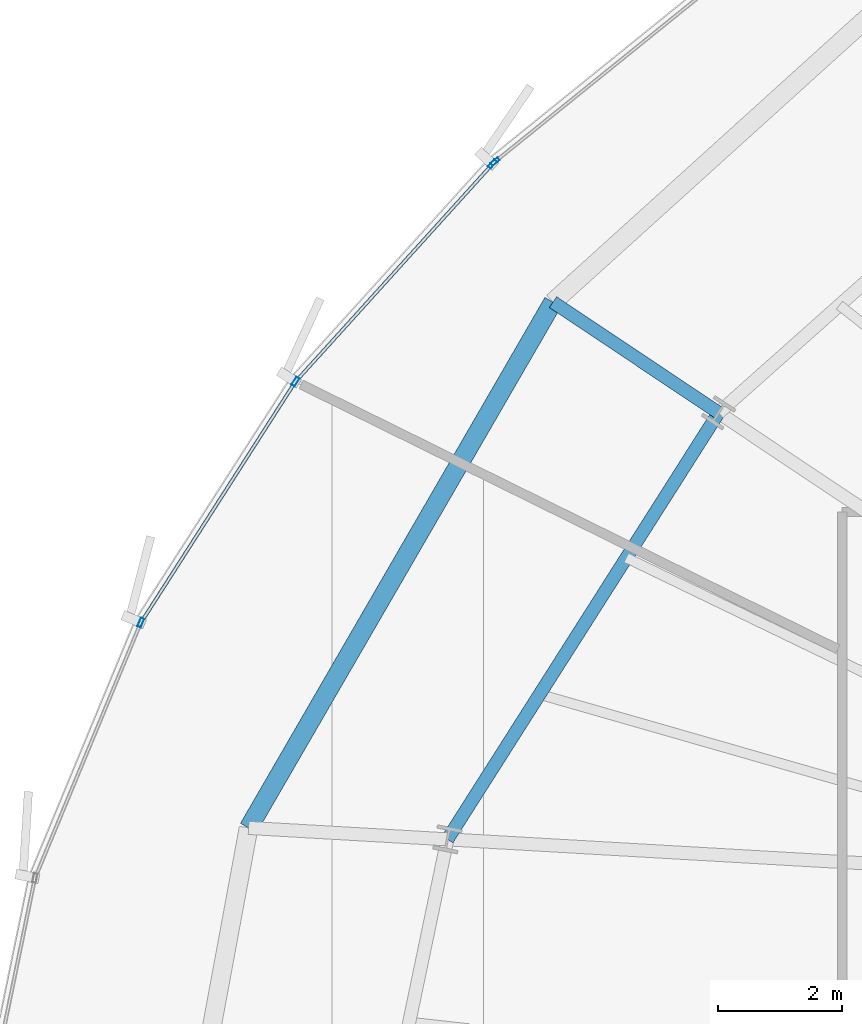
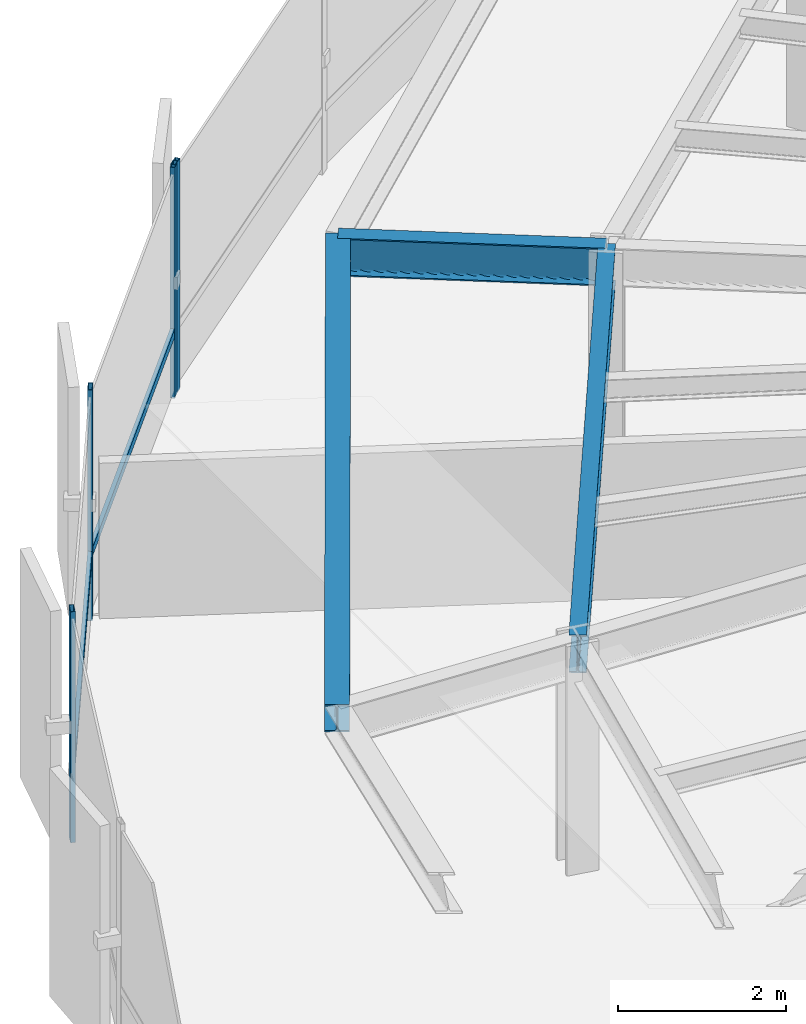
# One storey, part 18 of 35: 6 members, 3 beams, 2 elements without a shape of their own.
"""IFC4 building model written with IfcOpenShell, lengths in metres."""

import ifcopenshell
import ifcopenshell.guid

model = None  # the IFC model being written
_history = None  # IfcOwnerHistory: only IFC2X3 demands one
_inside = {}  # id of a spatial element -> (the spatial element, [elements in it])
_under = {}  # id of a project, library or spatial element -> (it, [spatial elements below it])
_declared = {}  # id of a project -> (the project, [libraries it declares])
_typed = {}  # id of a type object -> (the type object, [elements of that type])
_made_of = {}  # id of a material, layer set ... -> (it, [elements and type objects made of it])


def new_model(schema):
    """Start an empty IFC model of exactly this schema.

    Asked for "IFC4X3", IfcOpenShell would pick the latest addendum, in which some entities
    have other attributes; the version numbers below select the first issue.
    IFC2X3 requires an IfcOwnerHistory on every rooted entity: one is made here for all.
    """
    global model, _history
    if schema == "IFC4X3":
        model = ifcopenshell.file(schema_version=(4, 3, 0, 0))
    else:
        model = ifcopenshell.file(schema=schema)
    _inside.clear()
    _under.clear()
    _declared.clear()
    _typed.clear()
    _made_of.clear()
    _history = None
    if model.schema == "IFC2X3":
        org = make("IfcOrganization", Name="unknown")
        user = make(
            "IfcPersonAndOrganization",
            ThePerson=make("IfcPerson", FamilyName="unknown"),
            TheOrganization=org,
        )
        app = make(
            "IfcApplication",
            ApplicationDeveloper=org,
            Version="unknown",
            ApplicationFullName="unknown",
            ApplicationIdentifier="unknown",
        )
        _history = make(
            "IfcOwnerHistory",
            OwningUser=user,
            OwningApplication=app,
            ChangeAction="ADDED",
            CreationDate=0,
        )
    return model


def make(cls, **values):
    """One entity of the class cls with the attributes given. An attribute that is None is left unset."""
    return model.create_entity(
        cls, **{name: value for name, value in values.items() if value is not None}
    )


def rooted(cls, **values):
    """An entity with a GlobalId (a new one), such as an element, a storey or a relation."""
    return make(cls, GlobalId=ifcopenshell.guid.new(), OwnerHistory=_history, **values)


def si_unit(unit_type, name, prefix=None):
    """IfcSIUnit, for example si_unit("LENGTHUNIT", "METRE", prefix="MILLI")."""
    return make("IfcSIUnit", UnitType=unit_type, Prefix=prefix, Name=name)


def assignment(units):
    """IfcUnitAssignment: the units of a project."""
    return None if units is None else make("IfcUnitAssignment", Units=units)


def point(xyz):
    """IfcCartesianPoint."""
    return None if xyz is None else make("IfcCartesianPoint", Coordinates=xyz)


def direction(xyz):
    """IfcDirection."""
    return None if xyz is None else make("IfcDirection", DirectionRatios=xyz)


def frame(location, z_axis=None, x_axis=None):
    """IfcAxis2Placement3D, a coordinate frame: its origin and axes. An axis left out is left unset."""
    return make(
        "IfcAxis2Placement3D",
        Location=point(location),
        Axis=direction(z_axis),
        RefDirection=direction(x_axis),
    )


def frame_2d(location, x_axis=None):
    """IfcAxis2Placement2D, a coordinate frame in the plane: its origin and x axis."""
    return make(
        "IfcAxis2Placement2D", Location=point(location), RefDirection=direction(x_axis)
    )


def origin():
    """The frame at (0, 0, 0) with its axes left unset."""
    return frame((0.0, 0.0, 0.0))


def origin_2d():
    """The frame at (0, 0) in the plane with its x axis left unset."""
    return frame_2d((0.0, 0.0))


def place(relative_to, where):
    """IfcLocalPlacement: puts the frame where relative to a parent placement (None: the world)."""
    return make(
        "IfcLocalPlacement", PlacementRelTo=relative_to, RelativePlacement=where
    )


def context(
    kind, dimensions, precision=None, world=None, true_north=None, identifier=None
):
    """IfcGeometricRepresentationContext, for example the 3D "Model" context."""
    return make(
        "IfcGeometricRepresentationContext",
        ContextIdentifier=identifier,
        ContextType=kind,
        CoordinateSpaceDimension=dimensions,
        Precision=precision,
        WorldCoordinateSystem=world,
        TrueNorth=true_north,
    )


def subcontext(parent, identifier, kind, view, scale=None):
    """IfcGeometricRepresentationSubContext, for example "Body" below "Model"."""
    return make(
        "IfcGeometricRepresentationSubContext",
        ContextIdentifier=identifier,
        ContextType=kind,
        ParentContext=parent,
        TargetScale=scale,
        TargetView=view,
    )


def project(units=None, contexts=None):
    """IfcProject with its units and contexts."""
    return rooted(
        "IfcProject",
        Name="project",
        RepresentationContexts=contexts,
        UnitsInContext=assignment(units),
    )


def spatial(cls, under=None, at=None, **own):
    """A site, building, storey or space (cls), placed at a placement, below another one or the project."""
    s = rooted(cls, ObjectPlacement=at, **own)
    if under is not None:
        _under.setdefault(under.id(), (under, []))[1].append(s)
    return s


def profile(cls, at=None, kind="AREA", **sizes):
    """A parametric profile (cls). Its sizes go by their IFC names, for example OverallWidth=200.0."""
    return make(cls, ProfileType=kind, Position=at, **sizes)


def hollow_rectangle(**sizes):
    """IfcRectangleHollowProfileDef."""
    return profile("IfcRectangleHollowProfileDef", **sizes)


def i_section(**sizes):
    """IfcIShapeProfileDef."""
    return profile("IfcIShapeProfileDef", **sizes)


def extrude(swept, where, along, depth):
    """IfcExtrudedAreaSolid: the profile swept, set in the frame where, extruded along a direction by depth."""
    return make(
        "IfcExtrudedAreaSolid",
        SweptArea=swept,
        Position=where,
        ExtrudedDirection=direction(along),
        Depth=depth,
    )


def shape(context_of_items, identifier, shape_type, items):
    """IfcShapeRepresentation: the items that make up one representation, for example the "Body"."""
    return make(
        "IfcShapeRepresentation",
        ContextOfItems=context_of_items,
        RepresentationIdentifier=identifier,
        RepresentationType=shape_type,
        Items=items,
    )


def source(mapping_origin, context_of_items, identifier, shape_type, items):
    """IfcRepresentationMap: a shape defined once, which mapped items show again and again."""
    return make(
        "IfcRepresentationMap",
        MappingOrigin=mapping_origin,
        MappedRepresentation=shape(context_of_items, identifier, shape_type, items),
    )


def transform(
    local_origin,
    x_axis=None,
    y_axis=None,
    z_axis=None,
    scale=None,
    scale2=None,
    scale3=None,
    uniform=True,
):
    """IfcCartesianTransformationOperator3D, or its non-uniform kind. x_axis, y_axis, z_axis: its Axis1, 2, 3."""
    if uniform:
        return make(
            "IfcCartesianTransformationOperator3D",
            Axis1=direction(x_axis),
            Axis2=direction(y_axis),
            LocalOrigin=point(local_origin),
            Scale=scale,
            Axis3=direction(z_axis),
        )
    return make(
        "IfcCartesianTransformationOperator3DnonUniform",
        Axis1=direction(x_axis),
        Axis2=direction(y_axis),
        LocalOrigin=point(local_origin),
        Scale=scale,
        Axis3=direction(z_axis),
        Scale2=scale2,
        Scale3=scale3,
    )


def mapped(mapping_source, mapping_target):
    """IfcMappedItem: shows the shape of a source again, moved by a transform."""
    return make(
        "IfcMappedItem", MappingSource=mapping_source, MappingTarget=mapping_target
    )


def material(Name=None, Category=None):
    """IfcMaterial."""
    return make("IfcMaterial", Name=Name, Category=Category)


def layer(
    of_material, thickness, ventilated=None, Name=None, Category=None, Priority=None
):
    """IfcMaterialLayer: one layer of a wall or slab, of a material (None: an air gap)."""
    return make(
        "IfcMaterialLayer",
        Material=of_material,
        LayerThickness=thickness,
        IsVentilated=ventilated,
        Name=Name,
        Category=Category,
        Priority=Priority,
    )


def layer_set(layers, Name=None):
    """IfcMaterialLayerSet."""
    return make("IfcMaterialLayerSet", MaterialLayers=layers, LayerSetName=Name)


def material_profile(
    of_material, cross_section, Name=None, Category=None, Priority=None
):
    """IfcMaterialProfile: a cross section and its material."""
    return make(
        "IfcMaterialProfile",
        Name=Name,
        Material=of_material,
        Profile=cross_section,
        Priority=Priority,
        Category=Category,
    )


def profile_set(profiles, Name=None, composite=None):
    """IfcMaterialProfileSet."""
    return make(
        "IfcMaterialProfileSet",
        Name=Name,
        MaterialProfiles=profiles,
        CompositeProfile=composite,
    )


def made_of(thing, what):
    """Note that an element or type object is made of a material, layer set ...; save() writes the relation."""
    if what is not None:
        _made_of.setdefault(what.id(), (what, []))[1].append(thing)
    return thing


def type_object(cls, material=None, **own):
    """A type object (cls), such as IfcWallType, which elements share."""
    return made_of(rooted(cls, **own), material)


def element(
    cls,
    number,
    at=None,
    inside=None,
    cuts=None,
    type_object=None,
    material=None,
    context=None,
    identifier="Body",
    shape_type=None,
    held_by="IfcProductDefinitionShape",
    body=None,
    shapes=None,
    **own,
):
    """One element of the class cls, such as IfcWall. Its Tag is "e" and its number.

    at: its placement. inside: the storey or other place that contains it. cuts: it is an
    opening in that element (IfcRelVoidsElement). A single representation is given by context,
    identifier, shape_type and body (its items); several are given by shapes. held_by: the class
    of the entity that holds the representations. save() writes the other relations.
    """
    e = rooted(cls, Tag="e%d" % number, ObjectPlacement=at, **own)
    if body is not None:
        shapes = [shape(context, identifier, shape_type, body)]
    if shapes is not None:
        e.Representation = make(held_by, Representations=shapes)
    if inside is not None:
        _inside.setdefault(inside.id(), (inside, []))[1].append(e)
    if cuts is not None:
        rooted(
            "IfcRelVoidsElement", RelatingBuildingElement=cuts, RelatedOpeningElement=e
        )
    if type_object is not None:
        _typed.setdefault(type_object.id(), (type_object, []))[1].append(e)
    return made_of(e, material)


def aggregate(whole, parts):
    """IfcRelAggregates: a whole, such as a stair, and the parts it consists of."""
    return rooted("IfcRelAggregates", RelatingObject=whole, RelatedObjects=parts)


def save(model, path):
    """Write the relations noted so far, then the file.

    IfcRelAggregates (storeys below a building ...), IfcRelContainedInSpatialStructure (elements
    in a storey), IfcRelDefinesByType, IfcRelAssociatesMaterial and IfcRelDeclares: one each for
    every whole, place, type object, material and project.
    """
    for whole, parts in _under.values():
        aggregate(whole, parts)
    for where, things in _inside.values():
        rooted(
            "IfcRelContainedInSpatialStructure",
            RelatedElements=things,
            RelatingStructure=where,
        )
    for kind, things in _typed.values():
        rooted("IfcRelDefinesByType", RelatedObjects=things, RelatingType=kind)
    for what, things in _made_of.values():
        rooted("IfcRelAssociatesMaterial", RelatedObjects=things, RelatingMaterial=what)
    for by, libraries in _declared.values():
        rooted("IfcRelDeclares", RelatingContext=by, RelatedDefinitions=libraries)
    model.write(path)


model = new_model("IFC4")

# Units and contexts
model_context = context("Model", 3, precision=1e-05, world=origin(), true_north=direction((0.0, 1.0)))
body_context = subcontext(model_context, "Body", "Model", "MODEL_VIEW")
ifc_project = project(units=[si_unit("LENGTHUNIT", "METRE"), si_unit("AREAUNIT", "SQUARE_METRE"), si_unit("VOLUMEUNIT", "CUBIC_METRE"), si_unit("PLANEANGLEUNIT", "RADIAN"), si_unit("MASSUNIT", "GRAM", prefix="KILO"), si_unit("THERMODYNAMICTEMPERATUREUNIT", "KELVIN")], contexts=[model_context])

# Site, building, storey
site_placement = place(None, origin())
site = spatial("IfcSite", under=ifc_project, at=site_placement, CompositionType="ELEMENT")
building_placement = place(site_placement, origin())
building = spatial("IfcBuilding", under=site, at=building_placement, Name="Kethvar Cultural Tower", CompositionType="ELEMENT")
storey_placement = place(building_placement, frame((0.0, 0.0, 107.199951171875)))
storey = spatial("IfcBuildingStorey", under=building, at=storey_placement, Name="L26", CompositionType="ELEMENT", Elevation=107.199951171875)

# Beams
ifc_material_1 = material(Name="Steel S355J2", Category="steel")
ifc_material_profile_1 = material_profile(ifc_material_1, i_section(OverallWidth=0.2099609375, OverallDepth=0.550048828125, WebThickness=0.010986328125, FlangeThickness=0.01708984375, FilletRadius=0.02392578125, at=origin_2d()), Name="Steel S355J2 — IPE550")
ifc_profile_set_1 = profile_set([ifc_material_profile_1], Name="Steel S355J2 — IPE550")
beam_type_1 = type_object("IfcBeamType", Name="BM-IPE550", PredefinedType="BEAM", material=ifc_profile_set_1)
shared_shape_1 = source(origin(), body_context, "Body", "SweptSolid", [
    extrude(i_section(OverallWidth=0.2099609375, OverallDepth=0.550048828125, WebThickness=0.010986328125, FlangeThickness=0.01708984375, FilletRadius=0.02392578125, at=origin_2d()), origin(), (0.0, 0.0, 1.0), 3.199951171875),
])
beam_1_placement = place(storey_placement, frame((30.345947265625, 38.794189453125, 3.072998046875), z_axis=(-0.831462943996, 0.555580212716, 0.0), x_axis=(-0.555580212716, -0.831462943996, 0.0)))
element("IfcBeam", 1, at=beam_1_placement, inside=storey, type_object=beam_type_1, Name="L26 Perimeter Cantilever Beam RC-07", PredefinedType="BEAM", context=body_context, shape_type="MappedRepresentation", body=[
    mapped(shared_shape_1, transform((0.0, 0.0, 0.0), scale=1.0)),
])
shared_shape_2 = source(origin(), body_context, "Body", "SweptSolid", [
    extrude(i_section(OverallWidth=0.2099609375, OverallDepth=0.550048828125, WebThickness=0.010986328125, FlangeThickness=0.01708984375, FilletRadius=0.02392578125, at=origin_2d()), origin(), (0.0, 0.0, 1.0), 8.122314453125),
])
beam_2_placement = place(storey_placement, frame((30.345947265625, 38.794189453125, 3.072998046875), z_axis=(-0.536478664647, -0.843913883272, 0.0), x_axis=(0.843913883272, -0.536478664647, 0.0)))
element("IfcBeam", 2, at=beam_2_placement, inside=storey, type_object=beam_type_1, Name="L26 Column Ring Tie Beam CR-07", PredefinedType="BEAM", context=body_context, shape_type="MappedRepresentation", body=[
    mapped(shared_shape_2, transform((0.0, 0.0, 0.0), scale=1.0)),
])
ifc_material_profile_2 = material_profile(ifc_material_1, i_section(OverallWidth=0.300048828125, OverallDepth=0.39990234375, WebThickness=0.013427734375, FlangeThickness=0.02392578125, FilletRadius=0.027099609375, at=origin_2d()), Name="Steel S355J2 — HEB400")
ifc_profile_set_2 = profile_set([ifc_material_profile_2], Name="Steel S355J2 — HEB400")
beam_type_2 = type_object("IfcBeamType", Name="BM-SP400", PredefinedType="SPANDREL", material=ifc_profile_set_2)
shared_shape_3 = source(origin(), body_context, "Body", "SweptSolid", [
    extrude(i_section(OverallWidth=0.300048828125, OverallDepth=0.39990234375, WebThickness=0.013427734375, FlangeThickness=0.02392578125, FilletRadius=0.027099609375, at=origin_2d()), origin(), (0.0, 0.0, 1.0), 9.762939453125),
])
beam_3_placement = place(storey_placement, frame((27.685302734375, 40.572021484375, 3.14794921875), z_axis=(-0.501043170838, -0.865422290536, 0.0), x_axis=(0.865422290536, -0.501043170838, 0.0)))
element("IfcBeam", 3, at=beam_3_placement, inside=storey, type_object=beam_type_2, Name="L26 Perimeter Spandrel Beam SP-07", PredefinedType="SPANDREL", context=body_context, shape_type="MappedRepresentation", body=[
    mapped(shared_shape_3, transform((0.0, 0.0, 0.0), scale=1.0)),
])

# Curtain wall, member
ifc_material_2 = material(Name="Aluminium 6063-T6", Category="aluminium")
ifc_layer = layer(ifc_material_2, 0.179931640625, Name="Aluminium 6063-T6", Category="aluminium")
ifc_layer_set = layer_set([ifc_layer], Name="Aluminium 6063-T6 (180 mm)")
curtain_wall_type = type_object("IfcCurtainWallType", Name="CW-SYS-03-Z2", PredefinedType="NOTDEFINED", material=ifc_layer_set)
curtain_wall_1_placement = place(storey_placement, origin())
curtain_wall_1 = element("IfcCurtainWall", 4, at=curtain_wall_1_placement, inside=storey, type_object=curtain_wall_type, Name="L26 Curtain Wall Run 02", PredefinedType="NOTDEFINED")
ifc_material_profile_3 = material_profile(ifc_material_2, hollow_rectangle(XDim=0.06005859375, YDim=0.14990234375, WallThickness=0.0048828125, at=origin_2d()), Name="Aluminium 6063-T6 — RHS150x60x5")
ifc_profile_set_3 = profile_set([ifc_material_profile_3], Name="Aluminium 6063-T6 — RHS150x60x5")
member_type_1 = type_object("IfcMemberType", Name="CW-SYS-03-Z2-MUL", PredefinedType="MULLION", material=ifc_profile_set_3)
shared_shape_4 = source(origin(), body_context, "Body", "SweptSolid", [
    extrude(hollow_rectangle(XDim=0.06005859375, YDim=0.14990234375, WallThickness=0.0048828125, at=origin_2d()), origin(), (0.0, 0.0, 1.0), 3.35009765625),
])
member_1_placement = place(storey_placement, frame((26.755615234375, 42.830810546875, 0.0), z_axis=(0.0, 0.0, 1.0), x_axis=(0.628234677493, -0.778023900658, 0.0)))
member_1 = element("IfcMember", 5, at=member_1_placement, type_object=member_type_1, Name="CW-L26-R02 Mullion 7", PredefinedType="MULLION", context=body_context, shape_type="MappedRepresentation", body=[
    mapped(shared_shape_4, transform((0.0, 0.0, 0.0), scale=1.0)),
])
aggregate(curtain_wall_1, [member_1])

# Curtain wall, members
curtain_wall_2_placement = place(storey_placement, origin())
curtain_wall_2 = element("IfcCurtainWall", 6, at=curtain_wall_2_placement, inside=storey, type_object=curtain_wall_type, Name="L26 Curtain Wall Run 03", PredefinedType="NOTDEFINED")
member_2_placement = place(storey_placement, frame((26.712158203125, 42.789794921875, 0.0), z_axis=(0.0, 0.0, 1.0), x_axis=(0.741460771557, -0.670996217756, 0.0)))
member_2 = element("IfcMember", 7, at=member_2_placement, type_object=member_type_1, Name="CW-L26-R03 Mullion 1", PredefinedType="MULLION", context=body_context, shape_type="MappedRepresentation", body=[
    mapped(shared_shape_4, transform((0.0, 0.0, 0.0), scale=1.0)),
])
member_3_placement = place(storey_placement, frame((23.547119140625, 39.294677734375, 0.0), z_axis=(0.0, 0.0, 1.0), x_axis=(0.841925408552, -0.539593927352, 0.0)))
member_3 = element("IfcMember", 8, at=member_3_placement, type_object=member_type_1, Name="CW-L26-R03 Mullion 2", PredefinedType="MULLION", context=body_context, shape_type="MappedRepresentation", body=[
    mapped(shared_shape_4, transform((0.0, 0.0, 0.0), scale=1.0)),
])
member_4_placement = place(storey_placement, frame((21.06298828125, 35.42236328125, 0.0), z_axis=(0.0, 0.0, 1.0), x_axis=(0.923866173777, -0.382715681611, 0.0)))
member_4 = element("IfcMember", 9, at=member_4_placement, type_object=member_type_1, Name="CW-L26-R03 Mullion 3", PredefinedType="MULLION", context=body_context, shape_type="MappedRepresentation", body=[
    mapped(shared_shape_4, transform((0.0, 0.0, 0.0), scale=1.0)),
])
ifc_material_profile_4 = material_profile(ifc_material_2, hollow_rectangle(XDim=0.054931640625, YDim=0.1201171875, WallThickness=0.00390625, at=origin_2d()), Name="Aluminium 6063-T6 — RHS120x55x4")
ifc_profile_set_4 = profile_set([ifc_material_profile_4], Name="Aluminium 6063-T6 — RHS120x55x4")
member_type_2 = type_object("IfcMemberType", Name="CW-SYS-03-Z2-TRN", PredefinedType="USERDEFINED", material=ifc_profile_set_4)
shared_shape_5 = source(origin(), body_context, "Body", "SweptSolid", [
    extrude(hollow_rectangle(XDim=0.054931640625, YDim=0.1201171875, WallThickness=0.00390625, at=origin_2d()), origin(), (0.0, 0.0, 1.0), 4.686767578125),
])
member_5_placement = place(storey_placement, frame((26.709228515625, 42.78662109375, 0.949951171875), z_axis=(-0.670988339836, -0.741467900724, 0.0), x_axis=(0.741467900724, -0.670988339836, 0.0)))
member_5 = element("IfcMember", 10, at=member_5_placement, type_object=member_type_2, Name="CW-L26-R03 Transom 1", ObjectType="TRANSOM", PredefinedType="USERDEFINED", context=body_context, shape_type="MappedRepresentation", body=[
    mapped(shared_shape_5, transform((0.0, 0.0, 0.0), scale=1.0)),
])
shared_shape_6 = source(origin(), body_context, "Body", "SweptSolid", [
    extrude(hollow_rectangle(XDim=0.054931640625, YDim=0.1201171875, WallThickness=0.00390625, at=origin_2d()), origin(), (0.0, 0.0, 1.0), 4.534423828125),
])
member_6_placement = place(storey_placement, frame((23.523681640625, 39.25830078125, 0.949951171875), z_axis=(-0.539600554784, -0.841921160962, 0.0), x_axis=(0.841921160962, -0.539600554784, 0.0)))
member_6 = element("IfcMember", 11, at=member_6_placement, type_object=member_type_2, Name="CW-L26-R03 Transom 2", ObjectType="TRANSOM", PredefinedType="USERDEFINED", context=body_context, shape_type="MappedRepresentation", body=[
    mapped(shared_shape_6, transform((0.0, 0.0, 0.0), scale=1.0)),
])
aggregate(curtain_wall_2, [member_2, member_3, member_4, member_5, member_6])

save(model, "model.ifc")
